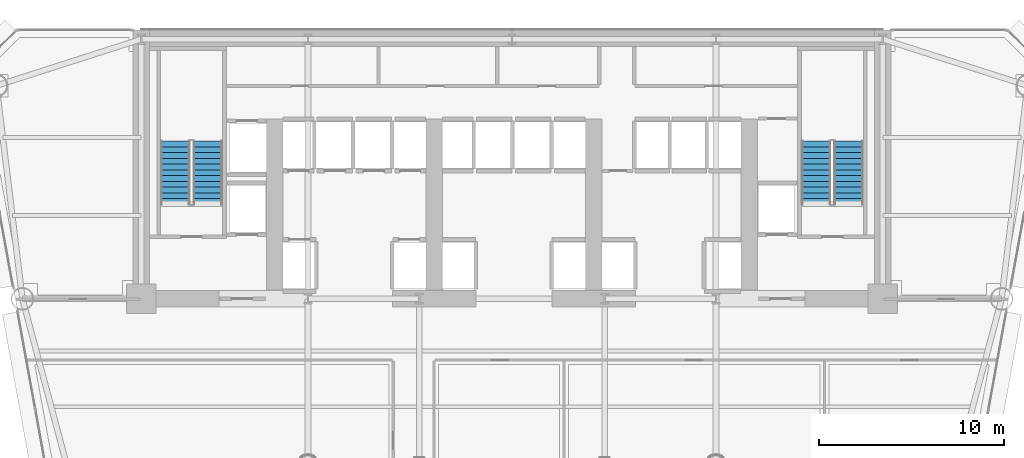
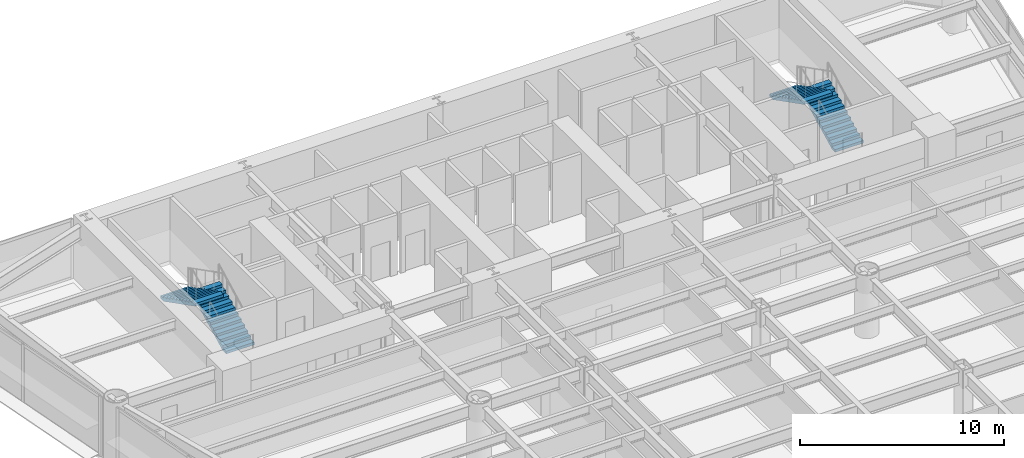
# One storey, part 10 of 14: 4 stair flights, 2 elements without a shape of their own.
"""IFC4 building model written with IfcOpenShell, lengths in metres."""

from ifc_helpers import new_model, si_unit, direction, frame, origin, place, context, subcontext, project, spatial, polyline, outline, extrude, material, type_object, element, aggregate, save


model = new_model("IFC4")

# Units and contexts
model_context = context("Model", 3, precision=1e-05, world=origin(), true_north=direction((0.0, 1.0)))
body_context = subcontext(model_context, "Body", "Model", "MODEL_VIEW")
ifc_project = project(units=[si_unit("LENGTHUNIT", "METRE"), si_unit("AREAUNIT", "SQUARE_METRE"), si_unit("VOLUMEUNIT", "CUBIC_METRE"), si_unit("PLANEANGLEUNIT", "RADIAN"), si_unit("MASSUNIT", "GRAM", prefix="KILO")], contexts=[model_context])

# Site, building, storey
site_placement = place(None, origin())
site = spatial("IfcSite", under=ifc_project, at=site_placement, CompositionType="ELEMENT")
building_placement = place(site_placement, origin())
building = spatial("IfcBuilding", under=site, at=building_placement, Name="Vaeldorn Concourse Tower", CompositionType="ELEMENT")
storey_placement = place(building_placement, frame((0.0, 0.0, 41.60009765625)))
storey = spatial("IfcBuildingStorey", under=building, at=storey_placement, Name="L10", CompositionType="ELEMENT", Elevation=41.60009765625)

# Stair, stair flights
ifc_material = material(Name="Precast concrete C40/50", Category="concrete")
stair_type = type_object("IfcStairType", Name="STR-DOG-24x158", PredefinedType="HALF_TURN_STAIR", material=ifc_material)
stair_1_placement = place(storey_placement, origin())
stair_1 = element("IfcStair", 1, at=stair_1_placement, inside=storey, type_object=stair_type, Name="L10 West Core Exit Stair ST-1", PredefinedType="HALF_TURN_STAIR")
stair_flight_type = type_object("IfcStairFlightType", Name="STF-STR-12x158", PredefinedType="STRAIGHT", material=ifc_material)
stair_flight_1_placement = place(storey_placement, frame((17.60009765625, 41.60009765625, 0.0), z_axis=(0.0, 0.0, 1.0), x_axis=(0.0, 1.0, 0.0)))
stair_flight_1 = element("IfcStairFlight", 2, at=stair_flight_1_placement, type_object=stair_flight_type, Name="ST-1 flight 1", NumberOfRisers=12, NumberOfTreads=11, PredefinedType="STRAIGHT", RiserHeight=0.158333333, TreadLength=0.31, context=body_context, shape_type="SweptSolid", body=[
    extrude(outline(polyline([(0.0, 0.0), (0.0, 0.158447265625), (0.31005859375, 0.158447265625), (0.31005859375, 0.316650390625), (0.6201171875, 0.316650390625), (0.6201171875, 0.47509765625), (0.929931640625, 0.47509765625), (0.929931640625, 0.63330078125), (1.239990234375, 0.63330078125), (1.239990234375, 0.791748046875), (1.550048828125, 0.791748046875), (1.550048828125, 0.949951171875), (1.860107421875, 0.949951171875), (1.860107421875, 1.1083984375), (2.169921875, 1.1083984375), (2.169921875, 1.2666015625), (2.47998046875, 1.2666015625), (2.47998046875, 1.425048828125), (2.7900390625, 1.425048828125), (2.7900390625, 1.583251953125), (3.10009765625, 1.583251953125), (3.10009765625, 1.74169921875), (3.409912109375, 1.74169921875), (3.409912109375, 1.89990234375), (3.409912109375, 1.5732421875), (0.32958984375, 0.0), (0.0, 0.0)])), frame((0.0, 0.800048828125, 0.0), z_axis=(0.0, -1.0, 0.0), x_axis=(1.0, 0.0, 0.0)), (0.0, 0.0, 1.0), 1.60009765625),
])
stair_flight_2_placement = place(storey_placement, frame((15.85009765625, 45.010009765625, 1.89990234375), z_axis=(0.0, 0.0, 1.0), x_axis=(0.0, -1.0, 0.0)))
stair_flight_2 = element("IfcStairFlight", 3, at=stair_flight_2_placement, type_object=stair_flight_type, Name="ST-1 flight 2", NumberOfRisers=12, NumberOfTreads=11, PredefinedType="STRAIGHT", RiserHeight=0.158333333, TreadLength=0.31, context=body_context, shape_type="SweptSolid", body=[
    extrude(outline(polyline([(0.0, 0.0), (0.0, 0.158447265625), (0.31005859375, 0.158447265625), (0.31005859375, 0.316650390625), (0.6201171875, 0.316650390625), (0.6201171875, 0.47509765625), (0.929931640625, 0.47509765625), (0.929931640625, 0.63330078125), (1.239990234375, 0.63330078125), (1.239990234375, 0.791748046875), (1.550048828125, 0.791748046875), (1.550048828125, 0.949951171875), (1.860107421875, 0.949951171875), (1.860107421875, 1.1083984375), (2.169921875, 1.1083984375), (2.169921875, 1.2666015625), (2.47998046875, 1.2666015625), (2.47998046875, 1.425048828125), (2.7900390625, 1.425048828125), (2.7900390625, 1.583251953125), (3.10009765625, 1.583251953125), (3.10009765625, 1.74169921875), (3.409912109375, 1.74169921875), (3.409912109375, 1.89990234375), (3.409912109375, 1.5732421875), (0.32958984375, 0.0), (0.0, 0.0)])), frame((0.0, 0.800048828125, 0.0), z_axis=(0.0, -1.0, 0.0), x_axis=(1.0, 0.0, 0.0)), (0.0, 0.0, 1.0), 1.60009765625),
])
aggregate(stair_1, [stair_flight_1, stair_flight_2])

stair_2_placement = place(storey_placement, origin())
stair_2 = element("IfcStair", 4, at=stair_2_placement, inside=storey, type_object=stair_type, Name="L10 East Core Exit Stair ST-2", PredefinedType="HALF_TURN_STAIR")
stair_flight_3_placement = place(storey_placement, frame((52.14990234375, 41.60009765625, 0.0), z_axis=(0.0, 0.0, 1.0), x_axis=(0.0, 1.0, 0.0)))
stair_flight_3 = element("IfcStairFlight", 5, at=stair_flight_3_placement, type_object=stair_flight_type, Name="ST-2 flight 1", NumberOfRisers=12, NumberOfTreads=11, PredefinedType="STRAIGHT", RiserHeight=0.158333333, TreadLength=0.31, context=body_context, shape_type="SweptSolid", body=[
    extrude(outline(polyline([(0.0, 0.0), (0.0, 0.158447265625), (0.31005859375, 0.158447265625), (0.31005859375, 0.316650390625), (0.6201171875, 0.316650390625), (0.6201171875, 0.47509765625), (0.929931640625, 0.47509765625), (0.929931640625, 0.63330078125), (1.239990234375, 0.63330078125), (1.239990234375, 0.791748046875), (1.550048828125, 0.791748046875), (1.550048828125, 0.949951171875), (1.860107421875, 0.949951171875), (1.860107421875, 1.1083984375), (2.169921875, 1.1083984375), (2.169921875, 1.2666015625), (2.47998046875, 1.2666015625), (2.47998046875, 1.425048828125), (2.7900390625, 1.425048828125), (2.7900390625, 1.583251953125), (3.10009765625, 1.583251953125), (3.10009765625, 1.74169921875), (3.409912109375, 1.74169921875), (3.409912109375, 1.89990234375), (3.409912109375, 1.5732421875), (0.32958984375, 0.0), (0.0, 0.0)])), frame((0.0, 0.800048828125, 0.0), z_axis=(0.0, -1.0, 0.0), x_axis=(1.0, 0.0, 0.0)), (0.0, 0.0, 1.0), 1.60009765625),
])
stair_flight_4_placement = place(storey_placement, frame((50.39990234375, 45.010009765625, 1.89990234375), z_axis=(0.0, 0.0, 1.0), x_axis=(0.0, -1.0, 0.0)))
stair_flight_4 = element("IfcStairFlight", 6, at=stair_flight_4_placement, type_object=stair_flight_type, Name="ST-2 flight 2", NumberOfRisers=12, NumberOfTreads=11, PredefinedType="STRAIGHT", RiserHeight=0.158333333, TreadLength=0.31, context=body_context, shape_type="SweptSolid", body=[
    extrude(outline(polyline([(0.0, 0.0), (0.0, 0.158447265625), (0.31005859375, 0.158447265625), (0.31005859375, 0.316650390625), (0.6201171875, 0.316650390625), (0.6201171875, 0.47509765625), (0.929931640625, 0.47509765625), (0.929931640625, 0.63330078125), (1.239990234375, 0.63330078125), (1.239990234375, 0.791748046875), (1.550048828125, 0.791748046875), (1.550048828125, 0.949951171875), (1.860107421875, 0.949951171875), (1.860107421875, 1.1083984375), (2.169921875, 1.1083984375), (2.169921875, 1.2666015625), (2.47998046875, 1.2666015625), (2.47998046875, 1.425048828125), (2.7900390625, 1.425048828125), (2.7900390625, 1.583251953125), (3.10009765625, 1.583251953125), (3.10009765625, 1.74169921875), (3.409912109375, 1.74169921875), (3.409912109375, 1.89990234375), (3.409912109375, 1.5732421875), (0.32958984375, 0.0), (0.0, 0.0)])), frame((0.0, 0.800048828125, 0.0), z_axis=(0.0, -1.0, 0.0), x_axis=(1.0, 0.0, 0.0)), (0.0, 0.0, 1.0), 1.60009765625),
])
aggregate(stair_2, [stair_flight_3, stair_flight_4])

save(model, "model.ifc")
